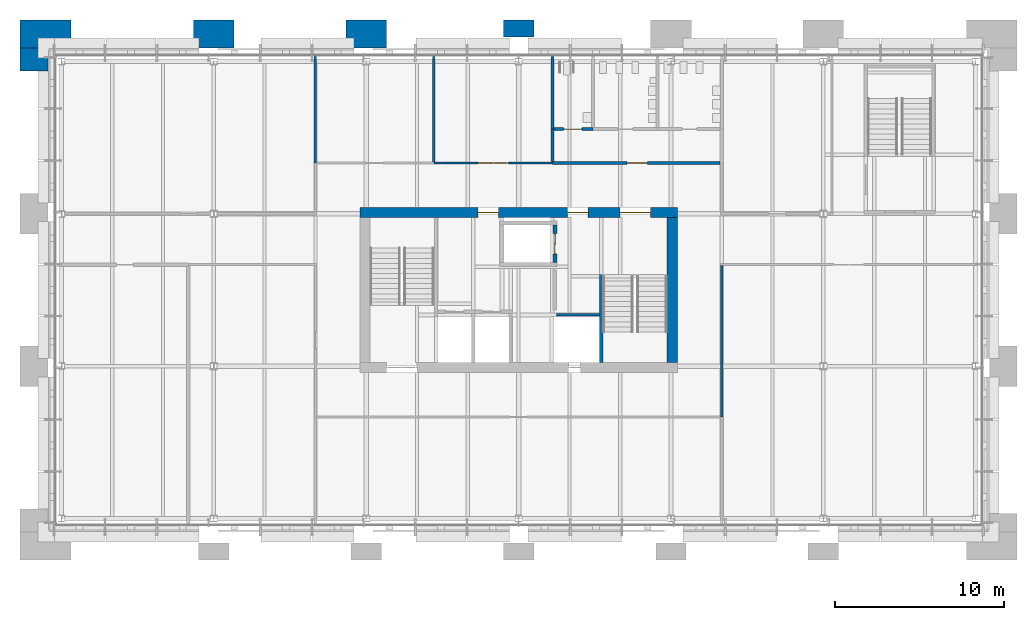
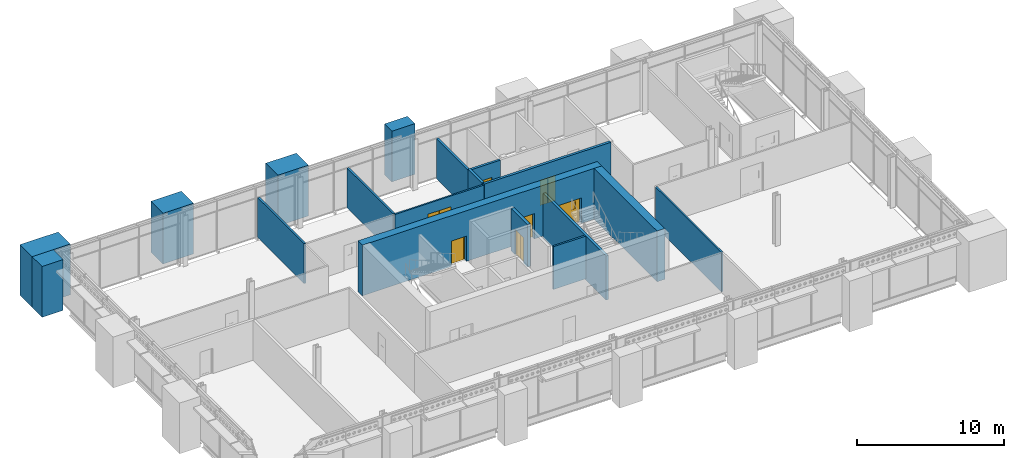
# One storey, part 27 of 54: 18 walls, 7 doors, 7 openings.
"""IFC4 building model written with IfcOpenShell, lengths in metres."""

from ifc_helpers import new_model, si_unit, direction, frame, frame_2d, origin, place, context, subcontext, project, spatial, polyline, rectangle, outline, extrude, material, layer, layer_set, type_object, element, fill, save


model = new_model("IFC4")

# Units and contexts
model_context = context("Model", 3, precision=1e-05, world=origin(), true_north=direction((0.0, 1.0)))
body_context = subcontext(model_context, "Body", "Model", "MODEL_VIEW")
ifc_project = project(units=[si_unit("LENGTHUNIT", "METRE"), si_unit("AREAUNIT", "SQUARE_METRE"), si_unit("VOLUMEUNIT", "CUBIC_METRE"), si_unit("PLANEANGLEUNIT", "RADIAN"), si_unit("MASSUNIT", "GRAM", prefix="KILO")], contexts=[model_context])

# Site, building, storey
site_placement = place(None, origin())
site = spatial("IfcSite", under=ifc_project, at=site_placement, CompositionType="ELEMENT")
building_placement = place(site_placement, origin())
building = spatial("IfcBuilding", under=site, at=building_placement, Name="Baradari Gate Terminus", CompositionType="ELEMENT")
storey_placement = place(building_placement, frame((0.0, 0.0, 15.89990234375)))
storey = spatial("IfcBuildingStorey", under=building, at=storey_placement, Name="L03", CompositionType="ELEMENT", Elevation=15.89990234375)

# Wall
ifc_material_1 = material(Name="Gypsum board")
ifc_layer_1 = layer(ifc_material_1, 0.125)
ifc_layer_set_1 = layer_set([ifc_layer_1], Name="Gypsum board")
wall_type_1 = type_object("IfcWallType", Name="Corridor partition PT-5 125 EI 30", PredefinedType="PARTITIONING", material=ifc_layer_set_1)
wall_1_placement = place(storey_placement, frame((48.0, 131.9375, 0.0), z_axis=(0.0, 0.0, 1.0), x_axis=(0.0, -1.0, 0.0)))
element("IfcWall", 1, at=wall_1_placement, inside=storey, type_object=wall_type_1, Name="PT-5 partition Corridor / Crew Booking Hall", PredefinedType="PARTITIONING", context=body_context, shape_type="SweptSolid", body=[
    extrude(rectangle(XDim=8.9375, YDim=0.125, at=frame_2d((4.46875, 0.0))), origin(), (0.0, 0.0, 1.0), 3.287109375),
])

# Wall, opening, door
wall_2_placement = place(storey_placement, frame((31.0, 138.0, 0.0), z_axis=(0.0, 0.0, 1.0), x_axis=(1.0, 0.0, 0.0)))
wall_2 = element("IfcWall", 2, at=wall_2_placement, inside=storey, type_object=wall_type_1, Name="PT-5 partition Corridor / Briefing Room", PredefinedType="PARTITIONING", context=body_context, shape_type="SweptSolid", body=[
    extrude(rectangle(XDim=7.0, YDim=0.125, at=frame_2d((3.5, 0.0))), origin(), (0.0, 0.0, 1.0), 3.287109375),
])
opening_1_placement = place(wall_2_placement, frame((2.60009765625, 0.0, 0.0)))
opening_1 = element("IfcOpeningElement", 3, at=opening_1_placement, cuts=wall_2, Name="Opening D03-024", PredefinedType="OPENING", context=body_context, shape_type="SweptSolid", body=[
    extrude(rectangle(XDim=1.800048828125, YDim=2.39990234375, at=frame_2d((0.89990234375, 1.199951171875))), frame((0.0, 0.072509765625, 0.0), z_axis=(0.0, -1.0, 0.0), x_axis=(1.0, 0.0, 0.0)), (0.0, 0.0, 1.0), 0.14501953125),
])
ifc_material_2 = material(Name="Steel S275", Category="steel")
door_type_1 = type_object("IfcDoorType", Name="Fire door FI-1800x2400-FD30S 1800x2400 FD30S", OperationType="DOUBLE_DOOR_SINGLE_SWING", PredefinedType="DOOR", material=ifc_material_2)
door_1_placement = place(opening_1_placement, origin())
door_1 = element("IfcDoor", 4, at=door_1_placement, inside=storey, type_object=door_type_1, Name="Door Briefing Room", OperationType="DOUBLE_DOOR_SINGLE_SWING", OverallHeight=2.4, OverallWidth=1.8, PredefinedType="DOOR", context=body_context, shape_type="SweptSolid", body=[
    extrude(outline(polyline([(0.0, 0.0), (0.070068359375, 0.0), (0.070068359375, 2.329833984375), (1.72998046875, 2.329833984375), (1.72998046875, 0.0), (1.800048828125, 0.0), (1.800048828125, 2.39990234375), (0.0, 2.39990234375), (0.0, 0.0)])), frame((0.0, 0.02490234375, 0.0), z_axis=(0.0, -1.0, 0.0), x_axis=(1.0, 0.0, 0.0)), (0.0, 0.0, 1.0), 0.050048828125),
    extrude(outline(polyline([(0.073974609375, 0.010009765625), (0.89697265625, 0.010009765625), (0.89697265625, 2.325927734375), (0.073974609375, 2.325927734375), (0.073974609375, 0.010009765625)]), holes=[polyline([(0.194091796875, 0.159912109375), (0.77685546875, 0.159912109375), (0.77685546875, 1.010009765625), (0.194091796875, 1.010009765625), (0.194091796875, 0.159912109375)]), polyline([(0.33544921875, 1.159912109375), (0.635498046875, 1.159912109375), (0.635498046875, 1.760009765625), (0.33544921875, 1.760009765625), (0.33544921875, 1.159912109375)])]), frame((0.0, 0.017333984375, 0.0), z_axis=(0.0, -1.0, 0.0), x_axis=(1.0, 0.0, 0.0)), (0.0, 0.0, 1.0), 0.034912109375),
    extrude(rectangle(XDim=0.582763671875, YDim=0.85009765625, at=frame_2d((0.4853515625, 0.5849609375))), frame((0.0, 0.008544921875, 0.0), z_axis=(0.0, -1.0, 0.0), x_axis=(1.0, 0.0, 0.0)), (0.0, 0.0, 1.0), 0.017333984375),
    extrude(rectangle(XDim=0.300048828125, YDim=0.60009765625, at=frame_2d((0.4853515625, 1.4599609375))), frame((0.0, 0.005859375, 0.0), z_axis=(0.0, -1.0, 0.0), x_axis=(1.0, 0.0, 0.0)), (0.0, 0.0, 1.0), 0.011962890625),
    extrude(outline(polyline([(0.903076171875, 0.010009765625), (1.72607421875, 0.010009765625), (1.72607421875, 2.325927734375), (0.903076171875, 2.325927734375), (0.903076171875, 0.010009765625)]), holes=[polyline([(1.023193359375, 0.159912109375), (1.60595703125, 0.159912109375), (1.60595703125, 1.010009765625), (1.023193359375, 1.010009765625), (1.023193359375, 0.159912109375)]), polyline([(1.16455078125, 1.159912109375), (1.464599609375, 1.159912109375), (1.464599609375, 1.760009765625), (1.16455078125, 1.760009765625), (1.16455078125, 1.159912109375)])]), frame((0.0, 0.017333984375, 0.0), z_axis=(0.0, -1.0, 0.0), x_axis=(1.0, 0.0, 0.0)), (0.0, 0.0, 1.0), 0.034912109375),
    extrude(rectangle(XDim=0.582763671875, YDim=0.85009765625, at=frame_2d((1.314453125, 0.5849609375))), frame((0.0, 0.008544921875, 0.0), z_axis=(0.0, -1.0, 0.0), x_axis=(1.0, 0.0, 0.0)), (0.0, 0.0, 1.0), 0.017333984375),
    extrude(rectangle(XDim=0.300048828125, YDim=0.60009765625, at=frame_2d((1.314453125, 1.4599609375))), frame((0.0, 0.005859375, 0.0), z_axis=(0.0, -1.0, 0.0), x_axis=(1.0, 0.0, 0.0)), (0.0, 0.0, 1.0), 0.011962890625),
])
fill(opening_1, door_1)

ifc_material_3 = material(Name="Concrete C32/40", Category="concrete")
ifc_layer_2 = layer(ifc_material_3, 0.25)
ifc_layer_set_2 = layer_set([ifc_layer_2], Name="Concrete C32/40")
wall_type_2 = type_object("IfcWallType", Name="Firefighting lift shaft wall SH-2 250 EI 120", PredefinedType="SOLIDWALL", material=ifc_layer_set_2)
wall_3_placement = place(storey_placement, frame((38.14990234375, 132.125, 0.0), z_axis=(0.0, 0.0, 1.0), x_axis=(0.0, 1.0, 0.0)))
wall_3 = element("IfcWall", 5, at=wall_3_placement, inside=storey, type_object=wall_type_2, Name="Lift shaft wall LT3 L03 E", PredefinedType="SOLIDWALL", context=body_context, shape_type="SweptSolid", body=[
    extrude(rectangle(XDim=2.199951171875, YDim=0.25, at=frame_2d((1.10009765625, 0.0))), origin(), (0.0, 0.0, 1.0), 3.51611328125),
])
opening_2_placement = place(wall_3_placement, frame((0.5, 0.0, 0.0)))
opening_2 = element("IfcOpeningElement", 6, at=opening_2_placement, cuts=wall_3, Name="Opening D03-007", PredefinedType="OPENING", context=body_context, shape_type="SweptSolid", body=[
    extrude(rectangle(XDim=1.199951171875, YDim=2.10009765625, at=frame_2d((0.60009765625, 1.050048828125))), frame((0.0, 0.135009765625, 0.0), z_axis=(0.0, -1.0, 0.0), x_axis=(1.0, 0.0, 0.0)), (0.0, 0.0, 1.0), 0.27001953125),
])
ifc_material_4 = material(Name="Stainless steel 1.4301", Category="steel")
door_type_2 = type_object("IfcDoorType", Name="Lift landing door LD2 1200x2100 E 120", OperationType="SLIDING_TO_LEFT", PredefinedType="DOOR", material=ifc_material_4)
door_2_placement = place(opening_2_placement, origin())
door_2 = element("IfcDoor", 7, at=door_2_placement, inside=storey, type_object=door_type_2, Name="Lift landing door LT3 L03", OperationType="SLIDING_TO_LEFT", OverallHeight=2.1, OverallWidth=1.2, PredefinedType="DOOR", context=body_context, shape_type="SweptSolid", body=[
    extrude(outline(polyline([(0.0, 0.0), (0.070068359375, 0.0), (0.070068359375, 2.030029296875), (1.1298828125, 2.030029296875), (1.1298828125, 0.0), (1.199951171875, 0.0), (1.199951171875, 2.10009765625), (0.0, 2.10009765625), (0.0, 0.0)])), frame((0.0, 0.02490234375, 0.0), z_axis=(0.0, -1.0, 0.0), x_axis=(1.0, 0.0, 0.0)), (0.0, 0.0, 1.0), 0.050048828125),
    extrude(rectangle(XDim=0.57861328125, YDim=2.01611328125, at=frame_2d((0.36328125, 1.01806640625))), frame((0.0, 0.017822265625, 0.0), z_axis=(0.0, -1.0, 0.0), x_axis=(1.0, 0.0, 0.0)), (0.0, 0.0, 1.0), 0.015869140625),
    extrude(rectangle(XDim=0.57470703125, YDim=2.01611328125, at=frame_2d((0.838623046875, 1.01806640625))), frame((0.0, -0.002197265625, 0.0), z_axis=(0.0, -1.0, 0.0), x_axis=(1.0, 0.0, 0.0)), (0.0, 0.0, 1.0), 0.015869140625),
])
fill(opening_2, door_2)

ifc_material_5 = material(Name="Blockwork wall, plastered, fire rated", Category="masonry")
ifc_layer_3 = layer(ifc_material_5, 0.199951171875)
ifc_layer_set_3 = layer_set([ifc_layer_3], Name="Blockwork wall, plastered, fire rated")
wall_type_3 = type_object("IfcWallType", Name="Lobby partition PT-4 200 EI 60", PredefinedType="PARTITIONING", material=ifc_layer_set_3)
wall_4_placement = place(storey_placement, frame((38.0, 138.0, 0.0), z_axis=(0.0, 0.0, 1.0), x_axis=(1.0, 0.0, 0.0)))
wall_4 = element("IfcWall", 8, at=wall_4_placement, inside=storey, type_object=wall_type_3, Name="PT-4 partition Corridor / WC Lobby", PredefinedType="PARTITIONING", context=body_context, shape_type="SweptSolid", body=[
    extrude(rectangle(XDim=9.89990234375, YDim=0.199951171875, at=frame_2d((4.949951171875, 0.0))), origin(), (0.0, 0.0, 1.0), 3.382080078125),
])
opening_3_placement = place(wall_4_placement, frame((4.39990234375, 0.0, 0.0)))
opening_3 = element("IfcOpeningElement", 9, at=opening_3_placement, cuts=wall_4, Name="Opening D03-015", PredefinedType="OPENING", context=body_context, shape_type="SweptSolid", body=[
    extrude(rectangle(XDim=1.199951171875, YDim=2.10009765625, at=frame_2d((0.60009765625, 1.050048828125))), frame((0.0, 0.10986328125, 0.0), z_axis=(0.0, -1.0, 0.0), x_axis=(1.0, 0.0, 0.0)), (0.0, 0.0, 1.0), 0.219970703125),
])
ifc_material_6 = material(Name="Steel S275", Category="steel")
door_type_3 = type_object("IfcDoorType", Name="Fire door FI-1200-FD60S 1200x2100 FD60S", OperationType="DOUBLE_DOOR_SINGLE_SWING", PredefinedType="DOOR", material=ifc_material_6)
door_3_placement = place(opening_3_placement, origin())
door_3 = element("IfcDoor", 10, at=door_3_placement, inside=storey, type_object=door_type_3, Name="Door WC Lobby", OperationType="DOUBLE_DOOR_SINGLE_SWING", OverallHeight=2.1, OverallWidth=1.2, PredefinedType="DOOR", context=body_context, shape_type="SweptSolid", body=[
    extrude(outline(polyline([(0.0, 0.0), (0.070068359375, 0.0), (0.070068359375, 2.030029296875), (1.1298828125, 2.030029296875), (1.1298828125, 0.0), (1.199951171875, 0.0), (1.199951171875, 2.10009765625), (0.0, 2.10009765625), (0.0, 0.0)])), frame((0.0, 0.02490234375, 0.0), z_axis=(0.0, -1.0, 0.0), x_axis=(1.0, 0.0, 0.0)), (0.0, 0.0, 1.0), 0.050048828125),
    extrude(outline(polyline([(0.073974609375, 0.010009765625), (0.596923828125, 0.010009765625), (0.596923828125, 2.026123046875), (0.073974609375, 2.026123046875), (0.073974609375, 0.010009765625)]), holes=[polyline([(0.178466796875, 0.372802734375), (0.492431640625, 0.372802734375), (0.492431640625, 1.7841796875), (0.178466796875, 1.7841796875), (0.178466796875, 0.372802734375)])]), frame((0.0, 0.017333984375, 0.0), z_axis=(0.0, -1.0, 0.0), x_axis=(1.0, 0.0, 0.0)), (0.0, 0.0, 1.0), 0.034912109375),
    extrude(rectangle(XDim=0.31396484375, YDim=1.411376953125, at=frame_2d((0.33544921875, 1.07861328125))), frame((0.0, 0.008544921875, 0.0), z_axis=(0.0, -1.0, 0.0), x_axis=(1.0, 0.0, 0.0)), (0.0, 0.0, 1.0), 0.017333984375),
    extrude(outline(polyline([(0.60302734375, 0.010009765625), (1.1259765625, 0.010009765625), (1.1259765625, 2.026123046875), (0.60302734375, 2.026123046875), (0.60302734375, 0.010009765625)]), holes=[polyline([(0.70751953125, 0.372802734375), (1.021484375, 0.372802734375), (1.021484375, 1.7841796875), (0.70751953125, 1.7841796875), (0.70751953125, 0.372802734375)])]), frame((0.0, 0.017333984375, 0.0), z_axis=(0.0, -1.0, 0.0), x_axis=(1.0, 0.0, 0.0)), (0.0, 0.0, 1.0), 0.034912109375),
    extrude(rectangle(XDim=0.31396484375, YDim=1.411376953125, at=frame_2d((0.864501953125, 1.07861328125))), frame((0.0, 0.008544921875, 0.0), z_axis=(0.0, -1.0, 0.0), x_axis=(1.0, 0.0, 0.0)), (0.0, 0.0, 1.0), 0.017333984375),
])
fill(opening_3, door_3)

# Wall
wall_5_placement = place(storey_placement, frame((38.0, 138.10009765625, 0.0), z_axis=(0.0, 0.0, 1.0), x_axis=(0.0, 1.0, 0.0)))
element("IfcWall", 11, at=wall_5_placement, inside=storey, type_object=wall_type_3, Name="PT-4 partition WC Lobby / Briefing Room", PredefinedType="PARTITIONING", context=body_context, shape_type="SweptSolid", body=[
    extrude(rectangle(XDim=1.89990234375, YDim=0.199951171875, at=frame_2d((0.949951171875, 0.0))), origin(), (0.0, 0.0, 1.0), 3.382080078125),
])

# Wall, openings, doors
ifc_material_7 = material(Name="Concrete C40/50", Category="concrete")
ifc_layer_4 = layer(ifc_material_7, 0.60009765625)
ifc_layer_set_4 = layer_set([ifc_layer_4], Name="Concrete C40/50")
wall_type_4 = type_object("IfcWallType", Name="Operations block core wall CWL01 600", PredefinedType="SOLIDWALL", material=ifc_layer_set_4)
wall_6_placement = place(storey_placement, frame((26.625, 135.074951171875, 0.0), z_axis=(0.0, 0.0, 1.0), x_axis=(1.0, 0.0, 0.0)))
wall_6 = element("IfcWall", 12, at=wall_6_placement, inside=storey, type_object=wall_type_4, Name="Operations block core wall CT N L03", PredefinedType="SOLIDWALL", context=body_context, shape_type="SweptSolid", body=[
    extrude(rectangle(XDim=18.75, YDim=0.60009765625, at=frame_2d((9.375, 0.0))), origin(), (0.0, 0.0, 1.0), 4.2001953125),
])
opening_4_placement = place(wall_6_placement, frame((15.375, 0.0, 0.0)))
opening_4 = element("IfcOpeningElement", 13, at=opening_4_placement, cuts=wall_6, Name="Opening D03-009", PredefinedType="OPENING", context=body_context, shape_type="SweptSolid", body=[
    extrude(rectangle(XDim=1.800048828125, YDim=2.10009765625, at=frame_2d((0.89990234375, 1.050048828125))), frame((0.0, 0.31005859375, 0.0), z_axis=(0.0, -1.0, 0.0), x_axis=(1.0, 0.0, 0.0)), (0.0, 0.0, 1.0), 0.6201171875),
])
opening_5_placement = place(wall_6_placement, frame((6.97509765625, 0.0, 0.0)))
opening_5 = element("IfcOpeningElement", 14, at=opening_5_placement, cuts=wall_6, Name="Opening D03-010", PredefinedType="OPENING", context=body_context, shape_type="SweptSolid", body=[
    extrude(rectangle(XDim=1.199951171875, YDim=2.10009765625, at=frame_2d((0.60009765625, 1.050048828125))), frame((0.0, 0.31005859375, 0.0), z_axis=(0.0, -1.0, 0.0), x_axis=(1.0, 0.0, 0.0)), (0.0, 0.0, 1.0), 0.6201171875),
])
opening_6_placement = place(wall_6_placement, frame((12.27490234375, 0.0, 0.0)))
opening_6 = element("IfcOpeningElement", 15, at=opening_6_placement, cuts=wall_6, Name="Opening D03-011", PredefinedType="OPENING", context=body_context, shape_type="SweptSolid", body=[
    extrude(rectangle(XDim=1.199951171875, YDim=2.10009765625, at=frame_2d((0.60009765625, 1.050048828125))), frame((0.0, 0.31005859375, 0.0), z_axis=(0.0, -1.0, 0.0), x_axis=(1.0, 0.0, 0.0)), (0.0, 0.0, 1.0), 0.6201171875),
])
ifc_material_8 = material(Name="Steel S275", Category="steel")
door_type_4 = type_object("IfcDoorType", Name="Fire door FI-1200-FD90S 1200x2100 FD90S", OperationType="DOUBLE_DOOR_SINGLE_SWING", PredefinedType="DOOR", material=ifc_material_8)
door_4_placement = place(opening_5_placement, frame((1.199951171875, 0.0, 0.0), z_axis=(0.0, 0.0, 1.0), x_axis=(-1.0, 0.0, 0.0)))
door_4 = element("IfcDoor", 16, at=door_4_placement, inside=storey, type_object=door_type_4, Name="Door Lift Lobby", OperationType="DOUBLE_DOOR_SINGLE_SWING", OverallHeight=2.1, OverallWidth=1.2, PredefinedType="DOOR", context=body_context, shape_type="SweptSolid", body=[
    extrude(outline(polyline([(0.0, 0.0), (0.070068359375, 0.0), (0.070068359375, 2.030029296875), (1.1298828125, 2.030029296875), (1.1298828125, 0.0), (1.199951171875, 0.0), (1.199951171875, 2.10009765625), (0.0, 2.10009765625), (0.0, 0.0)])), frame((0.0, 0.02490234375, 0.0), z_axis=(0.0, -1.0, 0.0), x_axis=(1.0, 0.0, 0.0)), (0.0, 0.0, 1.0), 0.050048828125),
    extrude(outline(polyline([(0.073974609375, 0.010009765625), (0.596923828125, 0.010009765625), (0.596923828125, 2.026123046875), (0.073974609375, 2.026123046875), (0.073974609375, 0.010009765625)]), holes=[polyline([(0.178466796875, 0.372802734375), (0.492431640625, 0.372802734375), (0.492431640625, 1.7841796875), (0.178466796875, 1.7841796875), (0.178466796875, 0.372802734375)])]), frame((0.0, 0.017333984375, 0.0), z_axis=(0.0, -1.0, 0.0), x_axis=(1.0, 0.0, 0.0)), (0.0, 0.0, 1.0), 0.034912109375),
    extrude(rectangle(XDim=0.31396484375, YDim=1.411376953125, at=frame_2d((0.33544921875, 1.07861328125))), frame((0.0, 0.008544921875, 0.0), z_axis=(0.0, -1.0, 0.0), x_axis=(1.0, 0.0, 0.0)), (0.0, 0.0, 1.0), 0.017333984375),
    extrude(outline(polyline([(0.60302734375, 0.010009765625), (1.1259765625, 0.010009765625), (1.1259765625, 2.026123046875), (0.60302734375, 2.026123046875), (0.60302734375, 0.010009765625)]), holes=[polyline([(0.70751953125, 0.372802734375), (1.021484375, 0.372802734375), (1.021484375, 1.7841796875), (0.70751953125, 1.7841796875), (0.70751953125, 0.372802734375)])]), frame((0.0, 0.017333984375, 0.0), z_axis=(0.0, -1.0, 0.0), x_axis=(1.0, 0.0, 0.0)), (0.0, 0.0, 1.0), 0.034912109375),
    extrude(rectangle(XDim=0.31396484375, YDim=1.411376953125, at=frame_2d((0.864501953125, 1.07861328125))), frame((0.0, 0.008544921875, 0.0), z_axis=(0.0, -1.0, 0.0), x_axis=(1.0, 0.0, 0.0)), (0.0, 0.0, 1.0), 0.017333984375),
])
fill(opening_5, door_4)
door_5_placement = place(opening_6_placement, frame((1.199951171875, 0.0, 0.0), z_axis=(0.0, 0.0, 1.0), x_axis=(-1.0, 0.0, 0.0)))
door_5 = element("IfcDoor", 17, at=door_5_placement, inside=storey, type_object=door_type_4, Name="Door Lift Lobby (Fire-fighting)", OperationType="DOUBLE_DOOR_SINGLE_SWING", OverallHeight=2.1, OverallWidth=1.2, PredefinedType="DOOR", context=body_context, shape_type="SweptSolid", body=[
    extrude(outline(polyline([(0.0, 0.0), (0.070068359375, 0.0), (0.070068359375, 2.030029296875), (1.1298828125, 2.030029296875), (1.1298828125, 0.0), (1.199951171875, 0.0), (1.199951171875, 2.10009765625), (0.0, 2.10009765625), (0.0, 0.0)])), frame((0.0, 0.02490234375, 0.0), z_axis=(0.0, -1.0, 0.0), x_axis=(1.0, 0.0, 0.0)), (0.0, 0.0, 1.0), 0.050048828125),
    extrude(outline(polyline([(0.073974609375, 0.010009765625), (0.596923828125, 0.010009765625), (0.596923828125, 2.026123046875), (0.073974609375, 2.026123046875), (0.073974609375, 0.010009765625)]), holes=[polyline([(0.178466796875, 0.372802734375), (0.492431640625, 0.372802734375), (0.492431640625, 1.7841796875), (0.178466796875, 1.7841796875), (0.178466796875, 0.372802734375)])]), frame((0.0, 0.017333984375, 0.0), z_axis=(0.0, -1.0, 0.0), x_axis=(1.0, 0.0, 0.0)), (0.0, 0.0, 1.0), 0.034912109375),
    extrude(rectangle(XDim=0.31396484375, YDim=1.411376953125, at=frame_2d((0.33544921875, 1.07861328125))), frame((0.0, 0.008544921875, 0.0), z_axis=(0.0, -1.0, 0.0), x_axis=(1.0, 0.0, 0.0)), (0.0, 0.0, 1.0), 0.017333984375),
    extrude(outline(polyline([(0.60302734375, 0.010009765625), (1.1259765625, 0.010009765625), (1.1259765625, 2.026123046875), (0.60302734375, 2.026123046875), (0.60302734375, 0.010009765625)]), holes=[polyline([(0.70751953125, 0.372802734375), (1.021484375, 0.372802734375), (1.021484375, 1.7841796875), (0.70751953125, 1.7841796875), (0.70751953125, 0.372802734375)])]), frame((0.0, 0.017333984375, 0.0), z_axis=(0.0, -1.0, 0.0), x_axis=(1.0, 0.0, 0.0)), (0.0, 0.0, 1.0), 0.034912109375),
    extrude(rectangle(XDim=0.31396484375, YDim=1.411376953125, at=frame_2d((0.864501953125, 1.07861328125))), frame((0.0, 0.008544921875, 0.0), z_axis=(0.0, -1.0, 0.0), x_axis=(1.0, 0.0, 0.0)), (0.0, 0.0, 1.0), 0.017333984375),
])
fill(opening_6, door_5)
ifc_material_9 = material(Name="Steel S275", Category="steel")
door_type_5 = type_object("IfcDoorType", Name="Fire door FI-1800-FD90S 1800x2100 FD90S", OperationType="DOUBLE_DOOR_SINGLE_SWING", PredefinedType="DOOR", material=ifc_material_9)
door_6_placement = place(opening_4_placement, frame((1.800048828125, 0.0, 0.0), z_axis=(0.0, 0.0, 1.0), x_axis=(-1.0, 0.0, 0.0)))
door_6 = element("IfcDoor", 18, at=door_6_placement, inside=storey, type_object=door_type_5, Name="Door Stair (Core) 2", OperationType="DOUBLE_DOOR_SINGLE_SWING", OverallHeight=2.1, OverallWidth=1.8, PredefinedType="DOOR", context=body_context, shape_type="SweptSolid", body=[
    extrude(outline(polyline([(0.0, 0.0), (0.070068359375, 0.0), (0.070068359375, 2.030029296875), (1.72998046875, 2.030029296875), (1.72998046875, 0.0), (1.800048828125, 0.0), (1.800048828125, 2.10009765625), (0.0, 2.10009765625), (0.0, 0.0)])), frame((0.0, 0.02490234375, 0.0), z_axis=(0.0, -1.0, 0.0), x_axis=(1.0, 0.0, 0.0)), (0.0, 0.0, 1.0), 0.050048828125),
    extrude(outline(polyline([(0.073974609375, 0.010009765625), (0.89697265625, 0.010009765625), (0.89697265625, 2.026123046875), (0.073974609375, 2.026123046875), (0.073974609375, 0.010009765625)]), holes=[polyline([(0.194091796875, 0.159912109375), (0.77685546875, 0.159912109375), (0.77685546875, 1.010009765625), (0.194091796875, 1.010009765625), (0.194091796875, 0.159912109375)]), polyline([(0.33544921875, 1.159912109375), (0.635498046875, 1.159912109375), (0.635498046875, 1.760009765625), (0.33544921875, 1.760009765625), (0.33544921875, 1.159912109375)])]), frame((0.0, 0.017333984375, 0.0), z_axis=(0.0, -1.0, 0.0), x_axis=(1.0, 0.0, 0.0)), (0.0, 0.0, 1.0), 0.034912109375),
    extrude(rectangle(XDim=0.582763671875, YDim=0.85009765625, at=frame_2d((0.4853515625, 0.5849609375))), frame((0.0, 0.008544921875, 0.0), z_axis=(0.0, -1.0, 0.0), x_axis=(1.0, 0.0, 0.0)), (0.0, 0.0, 1.0), 0.017333984375),
    extrude(rectangle(XDim=0.300048828125, YDim=0.60009765625, at=frame_2d((0.4853515625, 1.4599609375))), frame((0.0, 0.005859375, 0.0), z_axis=(0.0, -1.0, 0.0), x_axis=(1.0, 0.0, 0.0)), (0.0, 0.0, 1.0), 0.011962890625),
    extrude(outline(polyline([(0.903076171875, 0.010009765625), (1.72607421875, 0.010009765625), (1.72607421875, 2.026123046875), (0.903076171875, 2.026123046875), (0.903076171875, 0.010009765625)]), holes=[polyline([(1.023193359375, 0.159912109375), (1.60595703125, 0.159912109375), (1.60595703125, 1.010009765625), (1.023193359375, 1.010009765625), (1.023193359375, 0.159912109375)]), polyline([(1.16455078125, 1.159912109375), (1.464599609375, 1.159912109375), (1.464599609375, 1.760009765625), (1.16455078125, 1.760009765625), (1.16455078125, 1.159912109375)])]), frame((0.0, 0.017333984375, 0.0), z_axis=(0.0, -1.0, 0.0), x_axis=(1.0, 0.0, 0.0)), (0.0, 0.0, 1.0), 0.034912109375),
    extrude(rectangle(XDim=0.582763671875, YDim=0.85009765625, at=frame_2d((1.314453125, 0.5849609375))), frame((0.0, 0.008544921875, 0.0), z_axis=(0.0, -1.0, 0.0), x_axis=(1.0, 0.0, 0.0)), (0.0, 0.0, 1.0), 0.017333984375),
    extrude(rectangle(XDim=0.300048828125, YDim=0.60009765625, at=frame_2d((1.314453125, 1.4599609375))), frame((0.0, 0.005859375, 0.0), z_axis=(0.0, -1.0, 0.0), x_axis=(1.0, 0.0, 0.0)), (0.0, 0.0, 1.0), 0.011962890625),
])
fill(opening_4, door_6)

# Walls
wall_7_placement = place(storey_placement, frame((45.074951171875, 126.22509765625, 0.0), z_axis=(0.0, 0.0, 1.0), x_axis=(0.0, 1.0, 0.0)))
element("IfcWall", 19, at=wall_7_placement, inside=storey, type_object=wall_type_4, Name="Operations block core wall CT E L03", PredefinedType="SOLIDWALL", context=body_context, shape_type="SweptSolid", body=[
    extrude(rectangle(XDim=8.5498046875, YDim=0.60009765625, at=frame_2d((4.27490234375, 0.0))), origin(), (0.0, 0.0, 1.0), 4.2001953125),
])
ifc_material_10 = material(Name="Blockwork wall, plastered", Category="masonry")
ifc_layer_5 = layer(ifc_material_10, 0.14990234375)
ifc_layer_set_5 = layer_set([ifc_layer_5], Name="Blockwork wall, plastered")
wall_type_5 = type_object("IfcWallType", Name="Partition PT-2 150 EI 60", PredefinedType="PARTITIONING", material=ifc_layer_set_5)
wall_8_placement = place(storey_placement, frame((24.0, 144.294921875, 0.0), z_axis=(0.0, 0.0, 1.0), x_axis=(0.0, -1.0, 0.0)))
element("IfcWall", 20, at=wall_8_placement, inside=storey, type_object=wall_type_5, Name="PT-2 partition Operations Control Room / Duty Manager Office", PredefinedType="PARTITIONING", context=body_context, shape_type="SweptSolid", body=[
    extrude(rectangle(XDim=6.294921875, YDim=0.14990234375, at=frame_2d((3.1474609375, 0.0))), origin(), (0.0, 0.0, 1.0), 3.30712890625),
])
wall_9_placement = place(storey_placement, frame((31.0, 144.294921875, 0.0), z_axis=(0.0, 0.0, 1.0), x_axis=(0.0, -1.0, 0.0)))
element("IfcWall", 21, at=wall_9_placement, inside=storey, type_object=wall_type_5, Name="PT-2 partition Duty Manager Office / Briefing Room", PredefinedType="PARTITIONING", context=body_context, shape_type="SweptSolid", body=[
    extrude(rectangle(XDim=6.232421875, YDim=0.14990234375, at=frame_2d((3.1162109375, 0.0))), origin(), (0.0, 0.0, 1.0), 3.30712890625),
])
ifc_material_11 = material(Name="Blockwork wall, fire rated", Category="masonry")
ifc_layer_6 = layer(ifc_material_11, 0.14990234375)
ifc_layer_set_6 = layer_set([ifc_layer_6], Name="Blockwork wall, fire rated")
wall_type_6 = type_object("IfcWallType", Name="Riser wall RW-1 150 EI 120", PredefinedType="SOLIDWALL", material=ifc_layer_set_6)
wall_10_placement = place(storey_placement, frame((40.77294921875, 129.02490234375, 0.0), z_axis=(0.0, 0.0, 1.0), x_axis=(-1.0, 0.0, 0.0)))
element("IfcWall", 22, at=wall_10_placement, inside=storey, type_object=wall_type_6, Name="RW-1 partition Lift Lobby (Fire-fighting) / Riser", PredefinedType="SOLIDWALL", context=body_context, shape_type="SweptSolid", body=[
    extrude(rectangle(XDim=2.5478515625, YDim=0.14990234375, at=frame_2d((1.27392578125, 0.0))), origin(), (0.0, 0.0, 1.0), 3.5361328125),
])
ifc_material_12 = material(Name="Concrete C40/50 precast", Category="concrete")
ifc_layer_7 = layer(ifc_material_12, 1.55)
ifc_material_13 = material(Name="Sandstone cladding", Category="masonry")
ifc_layer_8 = layer(ifc_material_13, 0.1)
ifc_layer_set_7 = layer_set([ifc_layer_7, ifc_layer_8], Name="Concrete C40/50 precast")
wall_type_7 = type_object("IfcWallType", Name="Sandstone-faced precast frame pier WQ-4 1650", PredefinedType="SOLIDWALL", material=ifc_layer_set_7)
for number, where, z_axis, x_axis, name in (
    (23, (16.800048828125, 145.6201171875, 0.0), (0.0, 0.0, 1.0), (1.0, 0.0, 0.0), "Frame pier N face bay 1 a L03"),
    (24, (25.800048828125, 145.6201171875, 0.0), (0.0, 0.0, 1.0), (1.0, 0.0, 0.0), "Frame pier N face bay 1 b L03"),
):
    element("IfcWall", number, at=place(storey_placement, frame(where, z_axis=z_axis, x_axis=x_axis)), inside=storey, type_object=wall_type_7, Name=name, PredefinedType="SOLIDWALL", context=body_context, shape_type="SweptSolid", body=[
        extrude(rectangle(XDim=2.39990234375, YDim=1.64990234375, at=frame_2d((1.199951171875, 0.0))), origin(), (0.0, 0.0, 1.0), 4.2001953125),
    ])
wall_11_placement = place(storey_placement, frame((6.554931640625, 145.6201171875, 0.0), z_axis=(0.0, 0.0, 1.0), x_axis=(1.0, 0.0, 0.0)))
element("IfcWall", 25, at=wall_11_placement, inside=storey, type_object=wall_type_7, Name="Corner pilaster NW leg A L03", PredefinedType="SOLIDWALL", context=body_context, shape_type="SweptSolid", body=[
    extrude(rectangle(XDim=3.0, YDim=1.64990234375, at=frame_2d((1.5, 0.0))), origin(), (0.0, 0.0, 1.0), 4.2001953125),
])
wall_12_placement = place(storey_placement, frame((7.3798828125, 143.445068359375, 0.0), z_axis=(0.0, 0.0, 1.0), x_axis=(0.0, 1.0, 0.0)))
element("IfcWall", 26, at=wall_12_placement, inside=storey, type_object=wall_type_7, Name="Corner pilaster NW leg B L03", PredefinedType="SOLIDWALL", context=body_context, shape_type="SweptSolid", body=[
    extrude(rectangle(XDim=1.349853515625, YDim=1.64990234375, at=frame_2d((0.6748046875, 0.0))), origin(), (0.0, 0.0, 1.0), 4.2001953125),
])
ifc_layer_9 = layer(ifc_material_12, 0.9)
ifc_layer_10 = layer(ifc_material_13, 0.1)
ifc_layer_set_8 = layer_set([ifc_layer_9, ifc_layer_10], Name="Concrete C40/50 precast")
wall_type_8 = type_object("IfcWallType", Name="Sandstone-faced precast grid pier WQ-6 1000", PredefinedType="SOLIDWALL", material=ifc_layer_set_8)
wall_13_placement = place(storey_placement, frame((35.10009765625, 145.945068359375, 0.0), z_axis=(0.0, 0.0, 1.0), x_axis=(1.0, 0.0, 0.0)))
element("IfcWall", 27, at=wall_13_placement, inside=storey, type_object=wall_type_8, Name="Grid pier N face grid 36 L03", PredefinedType="SOLIDWALL", context=body_context, shape_type="SweptSolid", body=[
    extrude(rectangle(XDim=1.7998046875, YDim=1.0, at=frame_2d((0.89990234375, 0.0))), origin(), (0.0, 0.0, 1.0), 4.2001953125),
])
ifc_material_14 = material(Name="Concrete C40/50", Category="concrete")
ifc_layer_11 = layer(ifc_material_14, 0.199951171875)
ifc_layer_set_9 = layer_set([ifc_layer_11], Name="Concrete C40/50")
wall_type_9 = type_object("IfcWallType", Name="Stair enclosure wall SE-1 200 EI 120", PredefinedType="SOLIDWALL", material=ifc_layer_set_9)
wall_14_placement = place(storey_placement, frame((40.875, 126.22705078125, -0.1298828125), z_axis=(0.0, 0.0, 1.0), x_axis=(0.0, 1.0, 0.0)))
element("IfcWall", 28, at=wall_14_placement, inside=storey, type_object=wall_type_9, Name="Stair enclosure wall SE-1 ST-T2 L03 W", PredefinedType="SOLIDWALL", context=body_context, shape_type="SweptSolid", body=[
    extrude(rectangle(XDim=8.5458984375, YDim=0.199951171875, at=frame_2d((4.27294921875, 0.0))), origin(), (0.0, 0.0, 1.0), 3.666015625),
])

# Wall, opening, door
ifc_material_15 = material(Name="Blockwork wall, tiled both faces", Category="masonry")
ifc_layer_12 = layer(ifc_material_15, 0.175048828125)
ifc_layer_set_10 = layer_set([ifc_layer_12], Name="Blockwork wall, tiled both faces")
wall_type_10 = type_object("IfcWallType", Name="WC wet wall PT-6 175 EI 60", PredefinedType="PARTITIONING", material=ifc_layer_set_10)
wall_15_placement = place(storey_placement, frame((38.10009765625, 140.0, 0.0), z_axis=(0.0, 0.0, 1.0), x_axis=(1.0, 0.0, 0.0)))
wall_15 = element("IfcWall", 29, at=wall_15_placement, inside=storey, type_object=wall_type_10, Name="PT-6 partition WC Lobby / Accessible WC", PredefinedType="PARTITIONING", context=body_context, shape_type="SweptSolid", body=[
    extrude(rectangle(XDim=2.2998046875, YDim=0.175048828125, at=frame_2d((1.14990234375, 0.0))), origin(), (0.0, 0.0, 1.0), 3.30712890625),
])
opening_7_placement = place(wall_15_placement, frame((0.550048828125, 0.0, 0.0)))
opening_7 = element("IfcOpeningElement", 30, at=opening_7_placement, cuts=wall_15, Name="Opening D03-016", PredefinedType="OPENING", context=body_context, shape_type="SweptSolid", body=[
    extrude(rectangle(XDim=1.10009765625, YDim=2.10009765625, at=frame_2d((0.550048828125, 1.050048828125))), frame((0.0, 0.097412109375, 0.0), z_axis=(0.0, -1.0, 0.0), x_axis=(1.0, 0.0, 0.0)), (0.0, 0.0, 1.0), 0.195068359375),
])
ifc_material_16 = material(Name="Steel S275", Category="steel")
door_type_6 = type_object("IfcDoorType", Name="Fire door FI-1100-FD60S 1100x2100 FD60S", OperationType="SINGLE_SWING_LEFT", PredefinedType="DOOR", material=ifc_material_16)
door_7_placement = place(opening_7_placement, origin())
door_7 = element("IfcDoor", 31, at=door_7_placement, inside=storey, type_object=door_type_6, Name="Door Accessible WC", OperationType="SINGLE_SWING_LEFT", OverallHeight=2.1, OverallWidth=1.1, PredefinedType="DOOR", context=body_context, shape_type="SweptSolid", body=[
    extrude(outline(polyline([(0.0, 0.0), (0.070068359375, 0.0), (0.070068359375, 2.030029296875), (1.030029296875, 2.030029296875), (1.030029296875, 0.0), (1.10009765625, 0.0), (1.10009765625, 2.10009765625), (0.0, 2.10009765625), (0.0, 0.0)])), frame((0.0, 0.02490234375, 0.0), z_axis=(0.0, -1.0, 0.0), x_axis=(1.0, 0.0, 0.0)), (0.0, 0.0, 1.0), 0.050048828125),
    extrude(outline(polyline([(0.073974609375, 0.010009765625), (1.026123046875, 0.010009765625), (1.026123046875, 2.026123046875), (0.073974609375, 2.026123046875), (0.073974609375, 0.010009765625)]), holes=[polyline([(0.194091796875, 0.159912109375), (0.906005859375, 0.159912109375), (0.906005859375, 1.010009765625), (0.194091796875, 1.010009765625), (0.194091796875, 0.159912109375)]), polyline([(0.400146484375, 1.159912109375), (0.699951171875, 1.159912109375), (0.699951171875, 1.760009765625), (0.400146484375, 1.760009765625), (0.400146484375, 1.159912109375)])]), frame((0.0, 0.017333984375, 0.0), z_axis=(0.0, -1.0, 0.0), x_axis=(1.0, 0.0, 0.0)), (0.0, 0.0, 1.0), 0.034912109375),
    extrude(rectangle(XDim=0.7119140625, YDim=0.85009765625, at=frame_2d((0.550048828125, 0.5849609375))), frame((0.0, 0.008544921875, 0.0), z_axis=(0.0, -1.0, 0.0), x_axis=(1.0, 0.0, 0.0)), (0.0, 0.0, 1.0), 0.017333984375),
    extrude(rectangle(XDim=0.2998046875, YDim=0.60009765625, at=frame_2d((0.550048828125, 1.4599609375))), frame((0.0, 0.005859375, 0.0), z_axis=(0.0, -1.0, 0.0), x_axis=(1.0, 0.0, 0.0)), (0.0, 0.0, 1.0), 0.011962890625),
])
fill(opening_7, door_7)

# Wall
wall_16_placement = place(storey_placement, frame((38.0, 140.0, 0.0), z_axis=(0.0, 0.0, 1.0), x_axis=(0.0, 1.0, 0.0)))
element("IfcWall", 32, at=wall_16_placement, inside=storey, type_object=wall_type_10, Name="PT-6 partition Accessible WC / Briefing Room", PredefinedType="PARTITIONING", context=body_context, shape_type="SweptSolid", body=[
    extrude(rectangle(XDim=4.294921875, YDim=0.175048828125, at=frame_2d((2.1474609375, 0.0))), origin(), (0.0, 0.0, 1.0), 3.30712890625),
])

save(model, "model.ifc")
